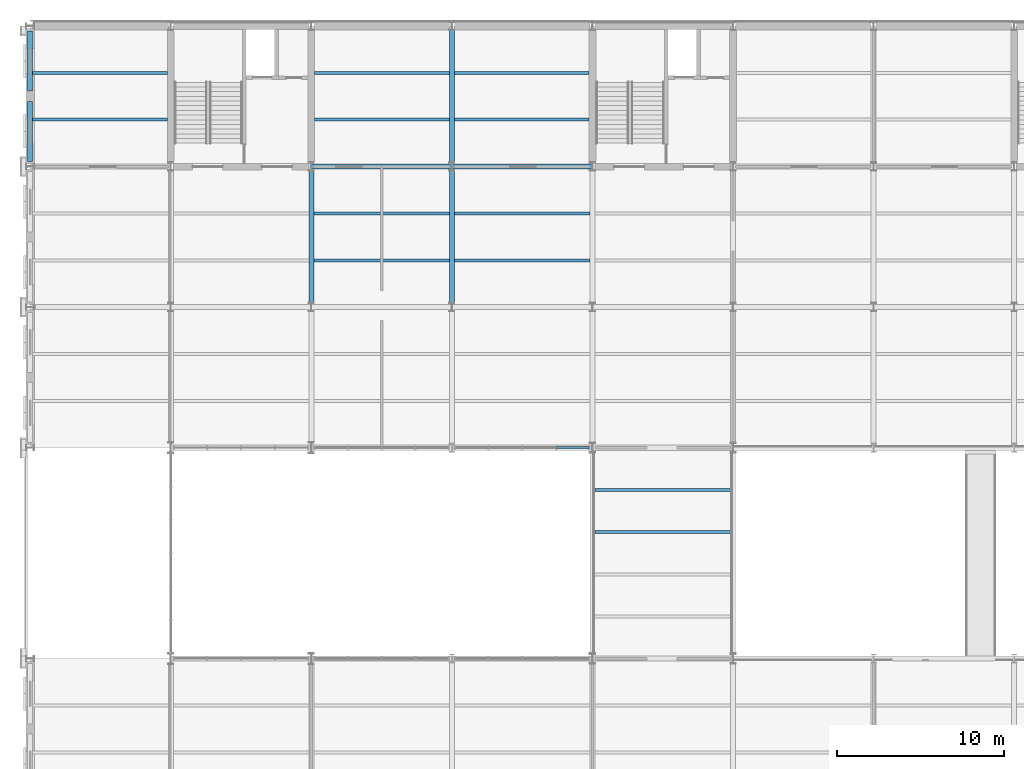
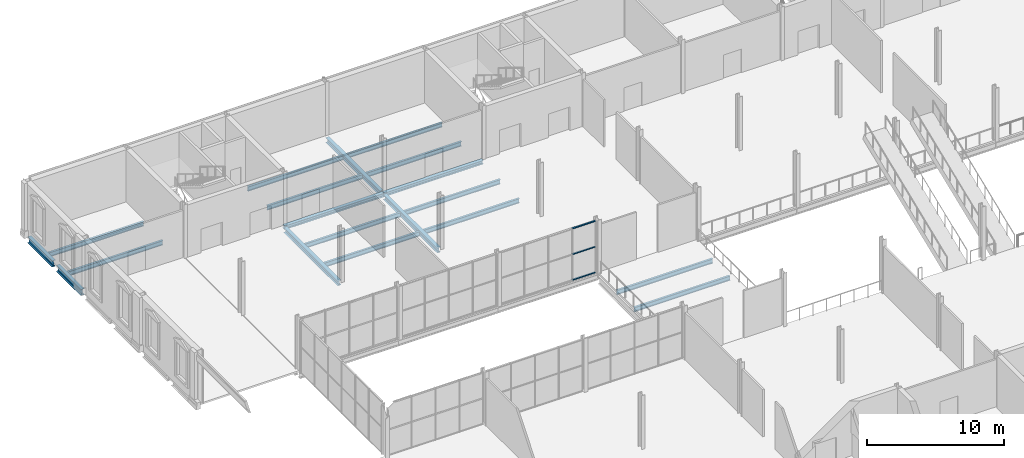
# One storey, part 17 of 61: 19 beams, 3 members, 1 element without a shape of its own.
"""IFC4 building model written with IfcOpenShell, lengths in metres."""

from ifc_helpers import new_model, si_unit, direction, frame, origin, origin_2d, place, context, subcontext, project, spatial, rectangle, i_section, extrude, material, layer, layer_set, material_profile, profile_set, type_object, element, aggregate, save


model = new_model("IFC4")

# Units and contexts
model_context = context("Model", 3, precision=1e-05, world=origin(), true_north=direction((0.0, 1.0)))
body_context = subcontext(model_context, "Body", "Model", "MODEL_VIEW")
ifc_project = project(units=[si_unit("LENGTHUNIT", "METRE"), si_unit("AREAUNIT", "SQUARE_METRE"), si_unit("VOLUMEUNIT", "CUBIC_METRE"), si_unit("PLANEANGLEUNIT", "RADIAN"), si_unit("MASSUNIT", "GRAM", prefix="KILO")], contexts=[model_context])

# Site, building, storey
site_placement = place(None, origin())
site = spatial("IfcSite", under=ifc_project, at=site_placement, CompositionType="ELEMENT")
building_placement = place(site_placement, origin())
building = spatial("IfcBuilding", under=site, at=building_placement, Name="Galleria Vessillo Department Store", CompositionType="ELEMENT")
storey_placement = place(building_placement, frame((0.0, 0.0, 11.39990234375)))
storey = spatial("IfcBuildingStorey", under=building, at=storey_placement, Name="L02", CompositionType="ELEMENT", Elevation=11.39990234375)

# Curtain wall, members
ifc_material_1 = material(Name="Aluminium and glass curtain wall", Category="aluminium")
ifc_layer = layer(ifc_material_1, 0.199951171875)
ifc_layer_set = layer_set([ifc_layer], Name="Aluminium and glass curtain wall")
curtain_wall_type = type_object("IfcCurtainWallType", Name="Arcade curtain wall CW1 2100 module", PredefinedType="NOTDEFINED", material=ifc_layer_set)
curtain_wall_placement = place(storey_placement, origin())
curtain_wall = element("IfcCurtainWall", 1, at=curtain_wall_placement, inside=storey, type_object=curtain_wall_type, Name="Arcade curtain wall CW1 2100 module AI-AW-N-L02-02", PredefinedType="NOTDEFINED")
ifc_material_2 = material(Name="Aluminium alloy 6063 T6", Category="aluminium")
ifc_material_profile_1 = material_profile(ifc_material_2, rectangle(XDim=0.139892578125, YDim=0.070068359375, at=origin_2d()), Name="AL 70x140")
ifc_profile_set_1 = profile_set([ifc_material_profile_1], Name="Aluminium alloy 6063 T6")
member_type = type_object("IfcMemberType", Name="Aluminium transom 70 x 140", PredefinedType="USERDEFINED", material=ifc_profile_set_1)
member_1_placement = place(storey_placement, frame((31.453857421875, 37.800048828125, 0.034912109375), z_axis=(1.0, 0.0, 0.0), x_axis=(0.0, 1.0, 0.0)))
member_1 = element("IfcMember", 2, at=member_1_placement, type_object=member_type, Name="CW1 transom 4.1", ObjectType="TRANSOM", PredefinedType="USERDEFINED", context=body_context, shape_type="SweptSolid", body=[
    extrude(rectangle(XDim=0.139892578125, YDim=0.070068359375, at=origin_2d()), origin(), (0.0, 0.0, 1.0), 1.93359375),
])
member_2_placement = place(storey_placement, frame((31.453857421875, 37.800048828125, 2.3251953125), z_axis=(1.0, 0.0, 0.0), x_axis=(0.0, 1.0, 0.0)))
member_2 = element("IfcMember", 3, at=member_2_placement, type_object=member_type, Name="CW1 transom 4.2", ObjectType="TRANSOM", PredefinedType="USERDEFINED", context=body_context, shape_type="SweptSolid", body=[
    extrude(rectangle(XDim=0.139892578125, YDim=0.070068359375, at=origin_2d()), origin(), (0.0, 0.0, 1.0), 1.93359375),
])
member_3_placement = place(storey_placement, frame((31.453857421875, 37.800048828125, 4.615234375), z_axis=(1.0, 0.0, 0.0), x_axis=(0.0, 1.0, 0.0)))
member_3 = element("IfcMember", 4, at=member_3_placement, type_object=member_type, Name="CW1 transom 4.3", ObjectType="TRANSOM", PredefinedType="USERDEFINED", context=body_context, shape_type="SweptSolid", body=[
    extrude(rectangle(XDim=0.139892578125, YDim=0.070068359375, at=origin_2d()), origin(), (0.0, 0.0, 1.0), 1.93359375),
])
aggregate(curtain_wall, [member_1, member_2, member_3])

# Beams
ifc_material_3 = material(Name="Steel S355 J2", Category="steel")
ifc_material_profile_2 = material_profile(ifc_material_3, i_section(OverallWidth=0.300048828125, OverallDepth=0.43994140625, WebThickness=0.011474609375, FlangeThickness=0.02099609375, FilletRadius=0.027099609375, at=origin_2d()), Name="HEA 450")
ifc_profile_set_2 = profile_set([ifc_material_profile_2], Name="Steel S355 J2")
beam_type_1 = type_object("IfcBeamType", Name="Floor girder HEA 450", PredefinedType="BEAM", material=ifc_profile_set_2)
for number, where, z_axis, x_axis, name in (
    (5, (16.800048828125, 46.4501953125, -0.369873046875), (0.0, 1.0, 0.0), (-1.0, 0.0, 0.0), "S-BM-L02-GI-y16800-46450"),
    (6, (25.199951171875, 46.4501953125, -0.369873046875), (0.0, 1.0, 0.0), (-1.0, 0.0, 0.0), "S-BM-L02-GI-y25200-46450"),
    (7, (25.199951171875, 54.85009765625, -0.369873046875), (0.0, 1.0, 0.0), (-1.0, 0.0, 0.0), "S-BM-L02-GI-y25200-54850"),
):
    element("IfcBeam", number, at=place(storey_placement, frame(where, z_axis=z_axis, x_axis=x_axis)), inside=storey, type_object=beam_type_1, Name=name, PredefinedType="BEAM", context=body_context, shape_type="SweptSolid", body=[
        extrude(i_section(OverallWidth=0.300048828125, OverallDepth=0.43994140625, WebThickness=0.011474609375, FlangeThickness=0.02099609375, FilletRadius=0.027099609375, at=origin_2d()), origin(), (0.0, 0.0, 1.0), 7.899658203125),
    ])
ifc_material_4 = material(Name="Steel S355 J2", Category="steel")
ifc_material_profile_3 = material_profile(ifc_material_4, i_section(OverallWidth=0.179931640625, OverallDepth=0.39990234375, WebThickness=0.008544921875, FlangeThickness=0.013427734375, FilletRadius=0.02099609375, at=origin_2d()), Name="IPE 400")
ifc_profile_set_3 = profile_set([ifc_material_profile_3], Name="Steel S355 J2")
beam_type_2 = type_object("IfcBeamType", Name="Floor joist IPE 400", PredefinedType="JOIST", material=ifc_profile_set_3)
for number, where, z_axis, x_axis, name in (
    (8, (0.150146484375, 57.39990234375, -0.349853515625), (1.0, 0.0, 0.0), (0.0, 1.0, 0.0), "S-BM-L02-JO-x57400-150"),
    (9, (0.150146484375, 60.199951171875, -0.349853515625), (1.0, 0.0, 0.0), (0.0, 1.0, 0.0), "S-BM-L02-JO-x60200-150"),
):
    element("IfcBeam", number, at=place(storey_placement, frame(where, z_axis=z_axis, x_axis=x_axis)), inside=storey, type_object=beam_type_2, Name=name, PredefinedType="JOIST", context=body_context, shape_type="SweptSolid", body=[
        extrude(i_section(OverallWidth=0.179931640625, OverallDepth=0.39990234375, WebThickness=0.008544921875, FlangeThickness=0.013427734375, FilletRadius=0.02099609375, at=origin_2d()), origin(), (0.0, 0.0, 1.0), 8.0498046875),
    ])
for number, where, z_axis, x_axis, name in (
    (10, (16.9501953125, 49.0, -0.349853515625), (1.0, 0.0, 0.0), (0.0, 1.0, 0.0), "S-BM-L02-JO-x49000-16950"),
    (11, (16.9501953125, 51.800048828125, -0.349853515625), (1.0, 0.0, 0.0), (0.0, 1.0, 0.0), "S-BM-L02-JO-x51800-16950"),
):
    element("IfcBeam", number, at=place(storey_placement, frame(where, z_axis=z_axis, x_axis=x_axis)), inside=storey, type_object=beam_type_2, Name=name, PredefinedType="JOIST", context=body_context, shape_type="SweptSolid", body=[
        extrude(i_section(OverallWidth=0.179931640625, OverallDepth=0.39990234375, WebThickness=0.008544921875, FlangeThickness=0.013427734375, FilletRadius=0.02099609375, at=origin_2d()), origin(), (0.0, 0.0, 1.0), 8.099609375),
    ])
for number, where, z_axis, x_axis, name in (
    (12, (17.000244140625, 57.39990234375, -0.349853515625), (1.0, 0.0, 0.0), (0.0, 1.0, 0.0), "S-BM-L02-JO-x57400-17000"),
    (13, (17.000244140625, 60.199951171875, -0.349853515625), (1.0, 0.0, 0.0), (0.0, 1.0, 0.0), "S-BM-L02-JO-x60200-17000"),
):
    element("IfcBeam", number, at=place(storey_placement, frame(where, z_axis=z_axis, x_axis=x_axis)), inside=storey, type_object=beam_type_2, Name=name, PredefinedType="JOIST", context=body_context, shape_type="SweptSolid", body=[
        extrude(i_section(OverallWidth=0.179931640625, OverallDepth=0.39990234375, WebThickness=0.008544921875, FlangeThickness=0.013427734375, FilletRadius=0.02099609375, at=origin_2d()), origin(), (0.0, 0.0, 1.0), 8.049560546875),
    ])
for number, where, z_axis, x_axis, name in (
    (14, (25.35009765625, 49.0, -0.349853515625), (1.0, 0.0, 0.0), (0.0, 1.0, 0.0), "S-BM-L02-JO-x49000-25350"),
    (15, (25.35009765625, 51.800048828125, -0.349853515625), (1.0, 0.0, 0.0), (0.0, 1.0, 0.0), "S-BM-L02-JO-x51800-25350"),
):
    element("IfcBeam", number, at=place(storey_placement, frame(where, z_axis=z_axis, x_axis=x_axis)), inside=storey, type_object=beam_type_2, Name=name, PredefinedType="JOIST", context=body_context, shape_type="SweptSolid", body=[
        extrude(i_section(OverallWidth=0.179931640625, OverallDepth=0.39990234375, WebThickness=0.008544921875, FlangeThickness=0.013427734375, FilletRadius=0.02099609375, at=origin_2d()), origin(), (0.0, 0.0, 1.0), 8.099853515625),
    ])
for number, where, z_axis, x_axis, name in (
    (16, (25.35009765625, 57.39990234375, -0.349853515625), (1.0, 0.0, 0.0), (0.0, 1.0, 0.0), "S-BM-L02-JO-x57400-25350"),
    (17, (25.35009765625, 60.199951171875, -0.349853515625), (1.0, 0.0, 0.0), (0.0, 1.0, 0.0), "S-BM-L02-JO-x60200-25350"),
):
    element("IfcBeam", number, at=place(storey_placement, frame(where, z_axis=z_axis, x_axis=x_axis)), inside=storey, type_object=beam_type_2, Name=name, PredefinedType="JOIST", context=body_context, shape_type="SweptSolid", body=[
        extrude(i_section(OverallWidth=0.179931640625, OverallDepth=0.39990234375, WebThickness=0.008544921875, FlangeThickness=0.013427734375, FilletRadius=0.02099609375, at=origin_2d()), origin(), (0.0, 0.0, 1.0), 8.0498046875),
    ])
for number, where, z_axis, x_axis, name in (
    (18, (33.750244140625, 32.760009765625, -0.349853515625), (1.0, 0.0, 0.0), (0.0, 1.0, 0.0), "S-BM-L02-JO-x32760-33750"),
    (19, (33.750244140625, 35.280029296875, -0.349853515625), (1.0, 0.0, 0.0), (0.0, 1.0, 0.0), "S-BM-L02-JO-x35280-33750"),
):
    element("IfcBeam", number, at=place(storey_placement, frame(where, z_axis=z_axis, x_axis=x_axis)), inside=storey, type_object=beam_type_2, Name=name, PredefinedType="JOIST", context=body_context, shape_type="SweptSolid", body=[
        extrude(i_section(OverallWidth=0.179931640625, OverallDepth=0.39990234375, WebThickness=0.008544921875, FlangeThickness=0.013427734375, FilletRadius=0.02099609375, at=origin_2d()), origin(), (0.0, 0.0, 1.0), 8.099609375),
    ])
ifc_material_5 = material(Name="Steel S355 J2", Category="steel")
ifc_material_profile_4 = material_profile(ifc_material_5, i_section(OverallWidth=0.300048828125, OverallDepth=0.330078125, WebThickness=0.009521484375, FlangeThickness=0.0166015625, FilletRadius=0.027099609375, at=origin_2d()), Name="HEA 340")
ifc_profile_set_4 = profile_set([ifc_material_profile_4], Name="Steel S355 J2")
beam_type_3 = type_object("IfcBeamType", Name="Floor tie girder HEA 340", PredefinedType="BEAM", material=ifc_profile_set_4)
for number, where, z_axis, x_axis, name in (
    (20, (16.807373046875, 54.60009765625, -0.31494140625), (1.0, 0.0, 0.0), (0.0, 1.0, 0.0), "S-BM-L02-TI-x54600-16807"),
    (21, (25.207275390625, 54.60009765625, -0.31494140625), (1.0, 0.0, 0.0), (0.0, 1.0, 0.0), "S-BM-L02-TI-x54600-25207"),
):
    element("IfcBeam", number, at=place(storey_placement, frame(where, z_axis=z_axis, x_axis=x_axis)), inside=storey, type_object=beam_type_3, Name=name, PredefinedType="BEAM", context=body_context, shape_type="SweptSolid", body=[
        extrude(i_section(OverallWidth=0.300048828125, OverallDepth=0.330078125, WebThickness=0.009521484375, FlangeThickness=0.0166015625, FilletRadius=0.027099609375, at=origin_2d()), origin(), (0.0, 0.0, 1.0), 8.38525390625),
    ])
ifc_material_6 = material(Name="Steel S355 J2", Category="steel")
ifc_material_profile_5 = material_profile(ifc_material_6, i_section(OverallWidth=0.300048828125, OverallDepth=0.550048828125, WebThickness=0.014892578125, FlangeThickness=0.029052734375, FilletRadius=0.027099609375, at=origin_2d()), Name="HEB 550")
ifc_profile_set_5 = profile_set([ifc_material_profile_5], Name="Steel S355 J2")
beam_type_4 = type_object("IfcBeamType", Name="Spandrel beam HEB 550", PredefinedType="SPANDREL", material=ifc_profile_set_5)
beam_1_placement = place(storey_placement, frame((0.0, 54.905029296875, -0.4248046875), z_axis=(0.0, 1.0, 0.0), x_axis=(-1.0, 0.0, 0.0)))
element("IfcBeam", 22, at=beam_1_placement, inside=storey, type_object=beam_type_4, Name="S-BM-L02-SP-y0-54905", PredefinedType="SPANDREL", context=body_context, shape_type="SweptSolid", body=[
    extrude(i_section(OverallWidth=0.300048828125, OverallDepth=0.550048828125, WebThickness=0.014892578125, FlangeThickness=0.029052734375, FilletRadius=0.027099609375, at=origin_2d()), origin(), (0.0, 0.0, 1.0), 3.58984375),
])
beam_2_placement = place(storey_placement, frame((0.0, 59.105224609375, -0.4248046875), z_axis=(0.0, 1.0, 0.0), x_axis=(-1.0, 0.0, 0.0)))
element("IfcBeam", 23, at=beam_2_placement, inside=storey, type_object=beam_type_4, Name="S-BM-L02-SP-y0-59105", PredefinedType="SPANDREL", context=body_context, shape_type="SweptSolid", body=[
    extrude(i_section(OverallWidth=0.300048828125, OverallDepth=0.550048828125, WebThickness=0.014892578125, FlangeThickness=0.029052734375, FilletRadius=0.027099609375, at=origin_2d()), origin(), (0.0, 0.0, 1.0), 3.589599609375),
])

save(model, "model.ifc")
